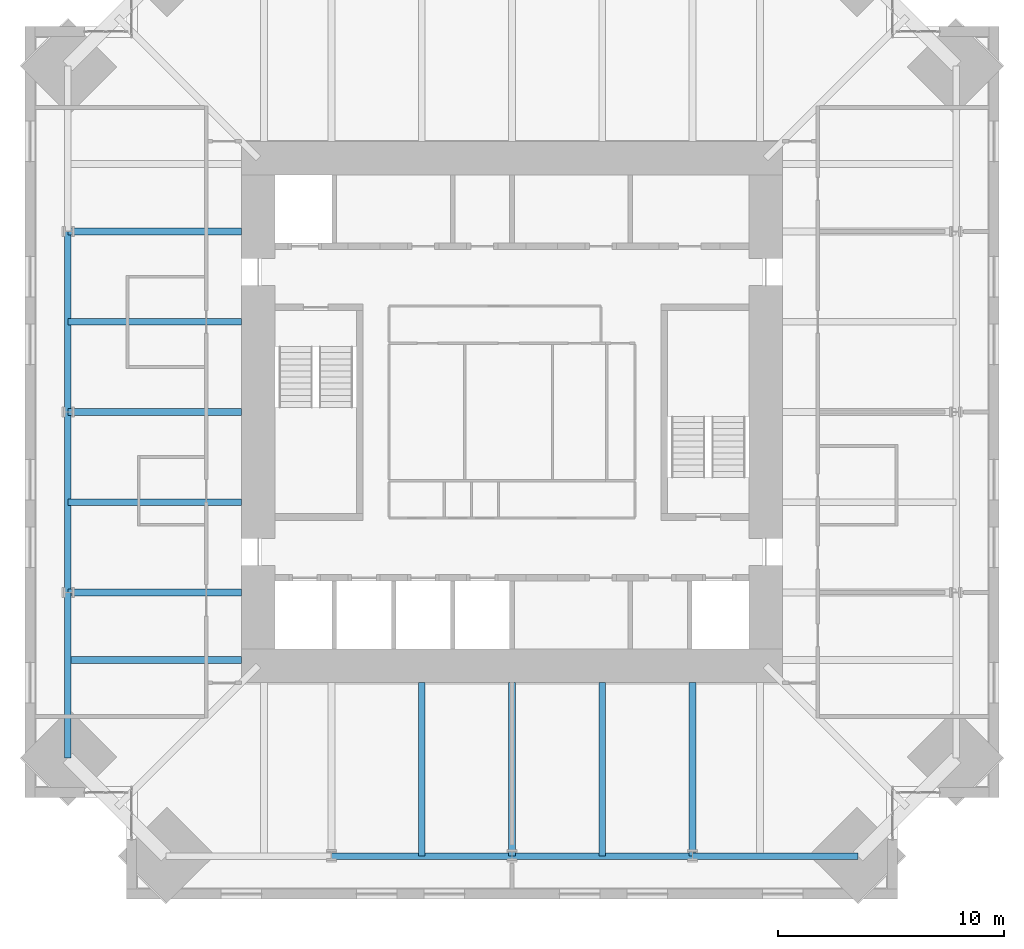
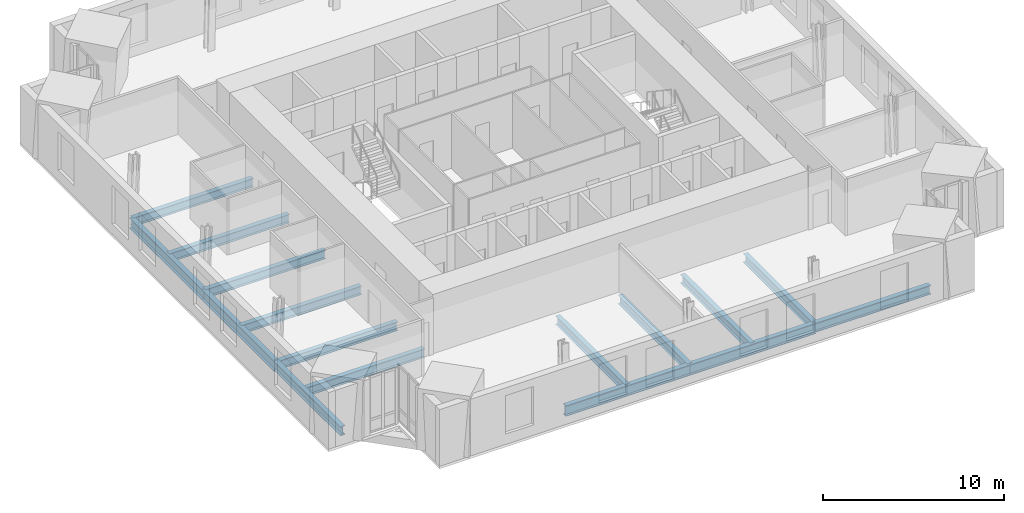
# One storey, part 3 of 16: 16 beams.
"""IFC4 building model written with IfcOpenShell, lengths in metres."""

from ifc_helpers import new_model, si_unit, direction, frame, origin, origin_2d, place, context, subcontext, project, spatial, i_section, extrude, material, material_profile, profile_set, type_object, element, save


model = new_model("IFC4")

# Units and contexts
model_context = context("Model", 3, precision=1e-05, world=origin(), true_north=direction((0.0, 1.0)))
body_context = subcontext(model_context, "Body", "Model", "MODEL_VIEW")
ifc_project = project(units=[si_unit("LENGTHUNIT", "METRE"), si_unit("AREAUNIT", "SQUARE_METRE"), si_unit("VOLUMEUNIT", "CUBIC_METRE"), si_unit("PLANEANGLEUNIT", "RADIAN"), si_unit("MASSUNIT", "GRAM", prefix="KILO")], contexts=[model_context])

# Site, building, storey
site_placement = place(None, origin())
site = spatial("IfcSite", under=ifc_project, at=site_placement, CompositionType="ELEMENT")
building_placement = place(site_placement, origin())
building = spatial("IfcBuilding", under=site, at=building_placement, Name="Peilmerk Tower", CompositionType="ELEMENT")
storey_placement = place(building_placement, frame((0.0, 0.0, 277.800048828125)))
storey = spatial("IfcBuildingStorey", under=building, at=storey_placement, Name="L62", CompositionType="ELEMENT", Elevation=277.800048828125)

# Beams
ifc_material = material(Name="Steel S355", Category="steel")
ifc_material_profile_1 = material_profile(ifc_material, i_section(OverallWidth=0.300048828125, OverallDepth=0.590087890625, WebThickness=0.012939453125, FlangeThickness=0.02490234375, at=origin_2d()), Name="HEA 600")
ifc_profile_set_1 = profile_set([ifc_material_profile_1], Name="Steel S355")
beam_type_1 = type_object("IfcBeamType", Name="B27 HEA 600 floor beam", PredefinedType="BEAM", material=ifc_profile_set_1)
for number, where, z_axis, x_axis, name in (
    (1, (-4.0, -12.0, -0.465087890625), (0.0, -1.0, 0.0), (1.0, 0.0, 0.0), "Floor beam L62"),
    (2, (0.0, -12.0, -0.465087890625), (0.0, -1.0, 0.0), (1.0, 0.0, 0.0), "Floor beam L62"),
    (3, (4.0, -12.0, -0.465087890625), (0.0, -1.0, 0.0), (1.0, 0.0, 0.0), "Floor beam L62"),
    (4, (8.0, -12.0, -0.465087890625), (0.0, -1.0, 0.0), (1.0, 0.0, 0.0), "Floor beam L62"),
    (5, (-12.0, 8.0, -0.465087890625), (-1.0, 0.0, 0.0), (0.0, -1.0, 0.0), "Floor beam L62"),
    (6, (-12.0, 4.0, -0.465087890625), (-1.0, 0.0, 0.0), (0.0, -1.0, 0.0), "Floor beam L62"),
    (7, (-12.0, 0.0, -0.465087890625), (-1.0, 0.0, 0.0), (0.0, -1.0, 0.0), "Floor beam L62"),
    (8, (-12.0, -4.0, -0.465087890625), (-1.0, 0.0, 0.0), (0.0, -1.0, 0.0), "Floor beam L62"),
    (9, (-12.0, -8.0, -0.465087890625), (-1.0, 0.0, 0.0), (0.0, -1.0, 0.0), "Floor beam L62"),
    (10, (-12.0, -11.0, -0.465087890625), (-1.0, 0.0, 0.0), (0.0, -1.0, 0.0), "Floor beam L62"),
):
    element("IfcBeam", number, at=place(storey_placement, frame(where, z_axis=z_axis, x_axis=x_axis)), inside=storey, type_object=beam_type_1, Name=name, PredefinedType="BEAM", context=body_context, shape_type="SweptSolid", body=[
        extrude(i_section(OverallWidth=0.300048828125, OverallDepth=0.590087890625, WebThickness=0.012939453125, FlangeThickness=0.02490234375, at=origin_2d()), origin(), (0.0, 0.0, 1.0), 7.695068359375),
    ])
ifc_material_profile_2 = material_profile(ifc_material, i_section(OverallWidth=0.303955078125, OverallDepth=0.716064453125, WebThickness=0.02099609375, FlangeThickness=0.0400390625, at=origin_2d()), Name="HEM 700")
ifc_profile_set_2 = profile_set([ifc_material_profile_2], Name="Steel S355")
beam_type_2 = type_object("IfcBeamType", Name="B30 HEM 700 edge beam", PredefinedType="SPANDREL", material=ifc_profile_set_2)
for number, where, z_axis, x_axis, name in (
    (11, (-8.0, -19.695068359375, -0.528076171875), (1.0, 0.0, 0.0), (0.0, 1.0, 0.0), "Edge beam L62"),
    (12, (0.0, -19.695068359375, -0.528076171875), (1.0, 0.0, 0.0), (0.0, 1.0, 0.0), "Edge beam L62"),
    (13, (-19.695068359375, 8.0, -0.528076171875), (0.0, -1.0, 0.0), (1.0, 0.0, 0.0), "Edge beam L62"),
    (14, (-19.695068359375, 0.0, -0.528076171875), (0.0, -1.0, 0.0), (1.0, 0.0, 0.0), "Edge beam L62"),
):
    element("IfcBeam", number, at=place(storey_placement, frame(where, z_axis=z_axis, x_axis=x_axis)), inside=storey, type_object=beam_type_2, Name=name, PredefinedType="SPANDREL", context=body_context, shape_type="SweptSolid", body=[
        extrude(i_section(OverallWidth=0.303955078125, OverallDepth=0.716064453125, WebThickness=0.02099609375, FlangeThickness=0.0400390625, at=origin_2d()), origin(), (0.0, 0.0, 1.0), 8.0),
    ])
ifc_material_profile_3 = material_profile(ifc_material, i_section(OverallWidth=0.304931640625, OverallDepth=0.6201171875, WebThickness=0.02099609375, FlangeThickness=0.0400390625, at=origin_2d()), Name="HEM 600")
ifc_profile_set_3 = profile_set([ifc_material_profile_3], Name="Steel S355")
beam_type_3 = type_object("IfcBeamType", Name="B31 HEM 600 edge beam", PredefinedType="SPANDREL", material=ifc_profile_set_3)
for number, where, z_axis, x_axis, name in (
    (15, (8.0, -19.695068359375, -0.47998046875), (1.0, 0.0, 0.0), (0.0, 1.0, 0.0), "Edge beam L62"),
    (16, (-19.695068359375, -8.0, -0.47998046875), (0.0, -1.0, 0.0), (1.0, 0.0, 0.0), "Edge beam L62"),
):
    element("IfcBeam", number, at=place(storey_placement, frame(where, z_axis=z_axis, x_axis=x_axis)), inside=storey, type_object=beam_type_3, Name=name, PredefinedType="SPANDREL", context=body_context, shape_type="SweptSolid", body=[
        extrude(i_section(OverallWidth=0.304931640625, OverallDepth=0.6201171875, WebThickness=0.02099609375, FlangeThickness=0.0400390625, at=origin_2d()), origin(), (0.0, 0.0, 1.0), 7.34521484375),
    ])

save(model, "model.ifc")
